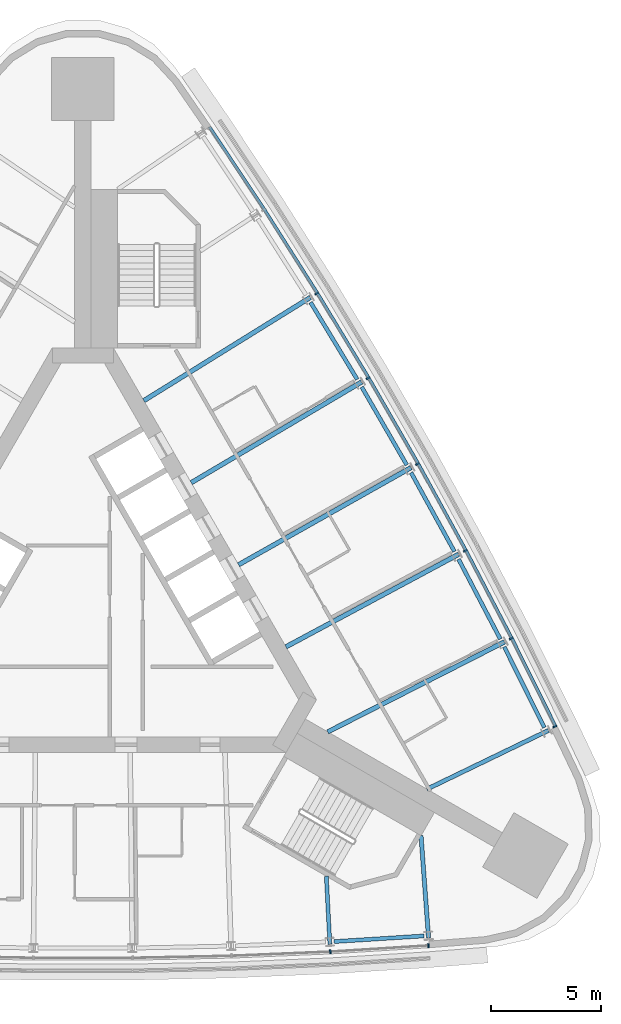
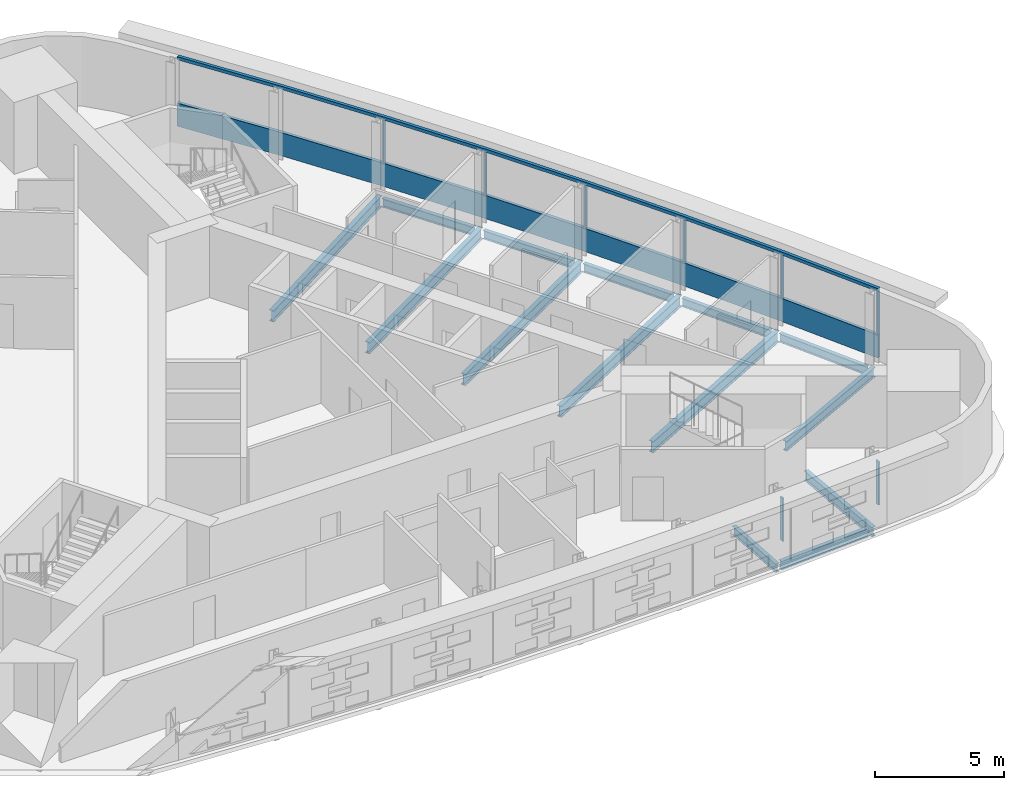
# One storey, part 5 of 12: 14 beams, 10 members, 2 elements without a shape of their own.
"""IFC4 building model written with IfcOpenShell, lengths in metres."""

from ifc_helpers import new_model, si_unit, direction, frame, origin, origin_2d, place, context, subcontext, project, spatial, polyline, rectangle, i_section, outline, extrude, material, material_profile, profile_set, type_object, element, aggregate, save


model = new_model("IFC4")

# Units and contexts
model_context = context("Model", 3, precision=1e-05, world=origin(), true_north=direction((0.0, 1.0)))
body_context = subcontext(model_context, "Body", "Model", "MODEL_VIEW")
ifc_project = project(units=[si_unit("LENGTHUNIT", "METRE"), si_unit("AREAUNIT", "SQUARE_METRE"), si_unit("VOLUMEUNIT", "CUBIC_METRE"), si_unit("PLANEANGLEUNIT", "RADIAN"), si_unit("MASSUNIT", "GRAM", prefix="KILO")], contexts=[model_context])

# Site, building, storey
site_placement = place(None, origin())
site = spatial("IfcSite", under=ifc_project, at=site_placement, CompositionType="ELEMENT")
building_placement = place(site_placement, origin())
building = spatial("IfcBuilding", under=site, at=building_placement, Name="Noor Cloister Tower", CompositionType="ELEMENT")
storey_placement = place(building_placement, frame((0.0, 0.0, 158.10009765625)))
storey = spatial("IfcBuildingStorey", under=building, at=storey_placement, Name="L40", CompositionType="ELEMENT", Elevation=158.10009765625)

# Curtain wall, member
ifc_material_1 = material(Name="Aluminium 6063-T6 anodised", Category="aluminium")
curtain_wall_type = type_object("IfcCurtainWallType", Name="Ribbon curtain wall, upper tower CW5", PredefinedType="NOTDEFINED", material=ifc_material_1)
curtain_wall_1_placement = place(storey_placement, origin())
curtain_wall_1 = element("IfcCurtainWall", 1, at=curtain_wall_1_placement, inside=storey, type_object=curtain_wall_type, Name="CW5 L40 NE run 3", PredefinedType="NOTDEFINED")
ifc_material_2 = material(Name="Aluminium 6063-T6 anodised", Category="aluminium")
member_type_1 = type_object("IfcMemberType", Name="Head transom CW5 150", PredefinedType="USERDEFINED", material=ifc_material_2)
member_1_placement = place(storey_placement, frame((0.0, 0.0, 3.14990234375)))
member_1 = element("IfcMember", 2, at=member_1_placement, type_object=member_type_1, Name="CW5 head transom", ObjectType="TRANSOM", PredefinedType="USERDEFINED", context=body_context, shape_type="SweptSolid", body=[
    extrude(outline(polyline([(21.54541015625, -5.73095703125), (19.544677734375, -1.7001953125), (17.4599609375, 2.28759765625), (15.2919921875, 6.23095703125), (13.0419921875, 10.1279296875), (10.7109375, 13.97705078125), (8.2998046875, 17.7763671875), (5.8095703125, 21.5244140625), (5.69287109375, 21.447021484375), (8.182373046875, 17.7001953125), (10.592041015625, 13.903076171875), (12.921630859375, 10.056640625), (15.170166015625, 6.162109375), (17.33642578125, 2.221435546875), (19.419921875, -1.763916015625), (21.420166015625, -5.793212890625), (21.54541015625, -5.73095703125)])), origin(), (0.0, 0.0, 1.0), 0.14990234375),
])

# Curtain wall, members
curtain_wall_2_placement = place(storey_placement, origin())
curtain_wall_2 = element("IfcCurtainWall", 3, at=curtain_wall_2_placement, inside=storey, type_object=curtain_wall_type, Name="CW5 L40 S run 2", PredefinedType="NOTDEFINED")
ifc_material_3 = material(Name="Aluminium 6063-T6 anodised", Category="aluminium")
ifc_material_profile_1 = material_profile(ifc_material_3, rectangle(XDim=0.179931640625, YDim=0.070068359375, at=origin_2d()), Name="180 x 70 mullion")
ifc_profile_set_1 = profile_set([ifc_material_profile_1], Name="Aluminium 6063-T6 anodised")
member_type_2 = type_object("IfcMemberType", Name="Mullion CW5 70 x 180", PredefinedType="MULLION", material=ifc_profile_set_1)
member_2_placement = place(storey_placement, frame((11.23974609375, -15.97607421875, 1.099853515625), z_axis=(0.0, 0.0, 1.0), x_axis=(-0.052341986805, 0.998629218688, 0.0)))
member_2 = element("IfcMember", 4, at=member_2_placement, type_object=member_type_2, Name="CW5 mullion 7", PredefinedType="MULLION", context=body_context, shape_type="SweptSolid", body=[
    extrude(rectangle(XDim=0.179931640625, YDim=0.070068359375, at=origin_2d()), origin(), (0.0, 0.0, 1.0), 2.050048828125),
])
member_3_placement = place(storey_placement, frame((15.694580078125, -15.69580078125, 1.099853515625), z_axis=(0.0, 0.0, 1.0), x_axis=(-0.062797748351, 0.998026273603, 0.0)))
member_3 = element("IfcMember", 5, at=member_3_placement, type_object=member_type_2, Name="CW5 mullion 8", PredefinedType="MULLION", context=body_context, shape_type="SweptSolid", body=[
    extrude(rectangle(XDim=0.179931640625, YDim=0.070068359375, at=origin_2d()), origin(), (0.0, 0.0, 1.0), 2.050048828125),
])
aggregate(curtain_wall_2, [member_2, member_3])

# Member
member_4_placement = place(storey_placement, frame((21.4404296875, -5.744140625, 1.099853515625), z_axis=(0.0, 0.0, 1.0), x_axis=(-0.89571498076, -0.444628691429, 0.0)))
member_4 = element("IfcMember", 6, at=member_4_placement, type_object=member_type_2, Name="CW5 mullion 1", PredefinedType="MULLION", context=body_context, shape_type="SweptSolid", body=[
    extrude(rectangle(XDim=0.179931640625, YDim=0.070068359375, at=origin_2d()), origin(), (0.0, 0.0, 1.0), 2.050048828125),
])

member_5_placement = place(storey_placement, frame((19.45556640625, -1.74560546875, 1.099853515625), z_axis=(0.0, 0.0, 1.0), x_axis=(-0.891009265748, -0.453985119086, 0.0)))
member_5 = element("IfcMember", 7, at=member_5_placement, type_object=member_type_2, Name="CW5 mullion 2", PredefinedType="MULLION", context=body_context, shape_type="SweptSolid", body=[
    extrude(rectangle(XDim=0.179931640625, YDim=0.070068359375, at=origin_2d()), origin(), (0.0, 0.0, 1.0), 2.050048828125),
])

member_6_placement = place(storey_placement, frame((17.371826171875, 2.240234375, 1.099853515625), z_axis=(0.0, 0.0, 1.0), x_axis=(-0.881305167553, -0.472547565483, 0.0)))
member_6 = element("IfcMember", 8, at=member_6_placement, type_object=member_type_2, Name="CW5 mullion 3", PredefinedType="MULLION", context=body_context, shape_type="SweptSolid", body=[
    extrude(rectangle(XDim=0.179931640625, YDim=0.070068359375, at=origin_2d()), origin(), (0.0, 0.0, 1.0), 2.050048828125),
])

member_7_placement = place(storey_placement, frame((15.204833984375, 6.181640625, 1.099853515625), z_axis=(0.0, 0.0, 1.0), x_axis=(-0.871214402304, -0.490902704432, 0.0)))
member_7 = element("IfcMember", 9, at=member_7_placement, type_object=member_type_2, Name="CW5 mullion 4", PredefinedType="MULLION", context=body_context, shape_type="SweptSolid", body=[
    extrude(rectangle(XDim=0.179931640625, YDim=0.070068359375, at=origin_2d()), origin(), (0.0, 0.0, 1.0), 2.050048828125),
])

member_8_placement = place(storey_placement, frame((12.9560546875, 10.076904296875, 1.099853515625), z_axis=(0.0, 0.0, 1.0), x_axis=(-0.860741413976, -0.509042452322, 0.0)))
member_8 = element("IfcMember", 10, at=member_8_placement, type_object=member_type_2, Name="CW5 mullion 5", PredefinedType="MULLION", context=body_context, shape_type="SweptSolid", body=[
    extrude(rectangle(XDim=0.179931640625, YDim=0.070068359375, at=origin_2d()), origin(), (0.0, 0.0, 1.0), 2.050048828125),
])

member_9_placement = place(storey_placement, frame((10.6259765625, 13.92431640625, 1.099853515625), z_axis=(0.0, 0.0, 1.0), x_axis=(-0.849890779982, -0.526958880846, 0.0)))
member_9 = element("IfcMember", 11, at=member_9_placement, type_object=member_type_2, Name="CW5 mullion 6", PredefinedType="MULLION", context=body_context, shape_type="SweptSolid", body=[
    extrude(rectangle(XDim=0.179931640625, YDim=0.070068359375, at=origin_2d()), origin(), (0.0, 0.0, 1.0), 2.050048828125),
])

# Beams
ifc_material_4 = material(Name="Steel ASTM A992 Gr 50", Category="steel")
ifc_material_profile_2 = material_profile(ifc_material_4, i_section(OverallWidth=0.177978515625, OverallDepth=0.406005859375, WebThickness=0.0078125, FlangeThickness=0.0126953125, FilletRadius=0.01025390625, at=origin_2d()), Name="W410x60")
ifc_profile_set_2 = profile_set([ifc_material_profile_2], Name="Steel ASTM A992 Gr 50")
beam_type_1 = type_object("IfcBeamType", Name="Radial beam W410x60", PredefinedType="BEAM", material=ifc_profile_set_2)
beam_1_placement = place(storey_placement, frame((11.2216796875, -15.633544921875, -0.403076171875), z_axis=(-0.052359869549, 0.998628281224, 0.0), x_axis=(-0.998628281224, -0.052359869549, 0.0)))
element("IfcBeam", 12, at=beam_1_placement, inside=storey, type_object=beam_type_1, Name="Radial beam S 07 L40", PredefinedType="BEAM", context=body_context, shape_type="SweptSolid", body=[
    extrude(i_section(OverallWidth=0.177978515625, OverallDepth=0.406005859375, WebThickness=0.0078125, FlangeThickness=0.0126953125, FilletRadius=0.01025390625, at=origin_2d()), origin(), (0.0, 0.0, 1.0), 3.09130859375),
])
ifc_material_5 = material(Name="Steel ASTM A992 Gr 50", Category="steel")
ifc_material_profile_3 = material_profile(ifc_material_5, i_section(OverallWidth=0.19091796875, OverallDepth=0.45703125, WebThickness=0.009033203125, FlangeThickness=0.014404296875, FilletRadius=0.01025390625, at=origin_2d()), Name="W460x74")
ifc_profile_set_3 = profile_set([ifc_material_profile_3], Name="Steel ASTM A992 Gr 50")
beam_type_2 = type_object("IfcBeamType", Name="Radial beam W460x74", PredefinedType="BEAM", material=ifc_profile_set_3)
beam_2_placement = place(storey_placement, frame((15.703369140625, -15.3515625, -0.4287109375), z_axis=(-0.073254033164, 0.997313314172, 0.0), x_axis=(-0.997313314172, -0.073254033164, 0.0)))
element("IfcBeam", 13, at=beam_2_placement, inside=storey, type_object=beam_type_2, Name="Radial beam S 08 L40", PredefinedType="BEAM", context=body_context, shape_type="SweptSolid", body=[
    extrude(i_section(OverallWidth=0.19091796875, OverallDepth=0.45703125, WebThickness=0.009033203125, FlangeThickness=0.014404296875, FilletRadius=0.01025390625, at=origin_2d()), origin(), (0.0, 0.0, 1.0), 4.6591796875),
])
beam_3_placement = place(storey_placement, frame((21.146728515625, -5.923828125, -0.4287109375), z_axis=(-0.900323455308, -0.435221410115, 0.0), x_axis=(0.435221410115, -0.900323455308, 0.0)))
element("IfcBeam", 14, at=beam_3_placement, inside=storey, type_object=beam_type_2, Name="Radial beam NE 01 L40", PredefinedType="BEAM", context=body_context, shape_type="SweptSolid", body=[
    extrude(i_section(OverallWidth=0.19091796875, OverallDepth=0.45703125, WebThickness=0.009033203125, FlangeThickness=0.014404296875, FilletRadius=0.01025390625, at=origin_2d()), origin(), (0.0, 0.0, 1.0), 6.1279296875),
])
ifc_material_6 = material(Name="Steel ASTM A992 Gr 50", Category="steel")
ifc_material_profile_4 = material_profile(ifc_material_6, i_section(OverallWidth=0.208984375, OverallDepth=0.532958984375, WebThickness=0.01025390625, FlangeThickness=0.015625, FilletRadius=0.0126953125, at=origin_2d()), Name="W530x92")
ifc_profile_set_4 = profile_set([ifc_material_profile_4], Name="Steel ASTM A992 Gr 50")
beam_type_3 = type_object("IfcBeamType", Name="Radial beam W530x92", PredefinedType="BEAM", material=ifc_profile_set_4)
beam_4_placement = place(storey_placement, frame((19.14990234375, -1.9013671875, -0.466552734375), z_axis=(-0.891002050303, -0.453999280127, 0.0), x_axis=(0.453999280127, -0.891002050303, 0.0)))
element("IfcBeam", 15, at=beam_4_placement, inside=storey, type_object=beam_type_3, Name="Radial beam NE 02 L40", PredefinedType="BEAM", context=body_context, shape_type="SweptSolid", body=[
    extrude(i_section(OverallWidth=0.208984375, OverallDepth=0.532958984375, WebThickness=0.01025390625, FlangeThickness=0.015625, FilletRadius=0.0126953125, at=origin_2d()), origin(), (0.0, 0.0, 1.0), 9.00634765625),
])
beam_5_placement = place(storey_placement, frame((17.069580078125, 2.078125, -0.466552734375), z_axis=(-0.881310226852, -0.472538129727, 0.0), x_axis=(0.472538129727, -0.881310226852, 0.0)))
element("IfcBeam", 16, at=beam_5_placement, inside=storey, type_object=beam_type_3, Name="Radial beam NE 03 L40", PredefinedType="BEAM", context=body_context, shape_type="SweptSolid", body=[
    extrude(i_section(OverallWidth=0.208984375, OverallDepth=0.532958984375, WebThickness=0.01025390625, FlangeThickness=0.015625, FilletRadius=0.0126953125, at=origin_2d()), origin(), (0.0, 0.0, 1.0), 8.89794921875),
])
for number, where, z_axis, x_axis, name in (
    (17, (14.906005859375, 6.013427734375, -0.466552734375), (-0.871204595241, -0.490920108808, 0.0), (0.490920108808, -0.871204595241, 0.0), "Radial beam NE 04 L40"),
    (18, (12.660888671875, 9.90234375, -0.466552734375), (-0.860751813994, -0.509024866491, 0.0), (0.509024866491, -0.860751813994, 0.0), "Radial beam NE 05 L40"),
):
    element("IfcBeam", number, at=place(storey_placement, frame(where, z_axis=z_axis, x_axis=x_axis)), inside=storey, type_object=beam_type_3, Name=name, PredefinedType="BEAM", context=body_context, shape_type="SweptSolid", body=[
        extrude(i_section(OverallWidth=0.208984375, OverallDepth=0.532958984375, WebThickness=0.01025390625, FlangeThickness=0.015625, FilletRadius=0.0126953125, at=origin_2d()), origin(), (0.0, 0.0, 1.0), 8.988037109375),
    ])
beam_6_placement = place(storey_placement, frame((10.33447265625, 13.743408203125, -0.466552734375), z_axis=(-0.849896547603, -0.526949578586, 0.0), x_axis=(0.526949578586, -0.849896547603, 0.0)))
element("IfcBeam", 19, at=beam_6_placement, inside=storey, type_object=beam_type_3, Name="Radial beam NE 06 L40", PredefinedType="BEAM", context=body_context, shape_type="SweptSolid", body=[
    extrude(i_section(OverallWidth=0.208984375, OverallDepth=0.532958984375, WebThickness=0.01025390625, FlangeThickness=0.015625, FilletRadius=0.0126953125, at=origin_2d()), origin(), (0.0, 0.0, 1.0), 8.89794921875),
])

# Member
ifc_material_7 = material(Name="Aluminium 6063-T6 anodised", Category="aluminium")
member_type_3 = type_object("IfcMemberType", Name="Sill transom CW5 1100", PredefinedType="USERDEFINED", material=ifc_material_7)
member_10_placement = place(storey_placement, origin())
member_10 = element("IfcMember", 20, at=member_10_placement, type_object=member_type_3, Name="CW5 sill transom", ObjectType="TRANSOM", PredefinedType="USERDEFINED", context=body_context, shape_type="SweptSolid", body=[
    extrude(outline(polyline([(21.54541015625, -5.73095703125), (19.544677734375, -1.7001953125), (17.4599609375, 2.28759765625), (15.2919921875, 6.23095703125), (13.0419921875, 10.1279296875), (10.7109375, 13.97705078125), (8.2998046875, 17.7763671875), (5.8095703125, 21.5244140625), (5.69287109375, 21.447021484375), (8.182373046875, 17.7001953125), (10.592041015625, 13.903076171875), (12.921630859375, 10.056640625), (15.170166015625, 6.162109375), (17.33642578125, 2.221435546875), (19.419921875, -1.763916015625), (21.420166015625, -5.793212890625), (21.54541015625, -5.73095703125)])), origin(), (0.0, 0.0, 1.0), 1.099853515625),
])

aggregate(curtain_wall_1, [member_4, member_5, member_6, member_7, member_8, member_9, member_10, member_1])

# Beams
ifc_material_8 = material(Name="Steel ASTM A992 Gr 50", Category="steel")
ifc_material_profile_5 = material_profile(ifc_material_8, i_section(OverallWidth=0.177978515625, OverallDepth=0.406005859375, WebThickness=0.0078125, FlangeThickness=0.0126953125, FilletRadius=0.01025390625, at=origin_2d()), Name="W410x60")
ifc_profile_set_5 = profile_set([ifc_material_profile_5], Name="Steel ASTM A992 Gr 50")
beam_type_4 = type_object("IfcBeamType", Name="Spandrel beam W410x60", PredefinedType="SPANDREL", material=ifc_profile_set_5)
beam_7_placement = place(storey_placement, frame((11.415283203125, -15.51416015625, -0.403076171875), z_axis=(0.998029512808, 0.06274624741, 0.0), x_axis=(-0.06274624741, 0.998029512808, 0.0)))
element("IfcBeam", 21, at=beam_7_placement, inside=storey, type_object=beam_type_4, Name="Spandrel beam S 07 L40", PredefinedType="SPANDREL", context=body_context, shape_type="SweptSolid", body=[
    extrude(i_section(OverallWidth=0.177978515625, OverallDepth=0.406005859375, WebThickness=0.0078125, FlangeThickness=0.0126953125, FilletRadius=0.01025390625, at=origin_2d()), origin(), (0.0, 0.0, 1.0), 4.08935546875),
])
beam_8_placement = place(storey_placement, frame((20.961669921875, -5.791748046875, -0.403076171875), z_axis=(-0.444632770879, 0.895712955729, 0.0), x_axis=(-0.895712955729, -0.444632770879, 0.0)))
element("IfcBeam", 22, at=beam_8_placement, inside=storey, type_object=beam_type_4, Name="Spandrel beam NE 01 L40", PredefinedType="SPANDREL", context=body_context, shape_type="SweptSolid", body=[
    extrude(i_section(OverallWidth=0.177978515625, OverallDepth=0.406005859375, WebThickness=0.0078125, FlangeThickness=0.0126953125, FilletRadius=0.01025390625, at=origin_2d()), origin(), (0.0, 0.0, 1.0), 4.089599609375),
])
beam_9_placement = place(storey_placement, frame((18.962158203125, -1.773193359375, -0.403076171875), z_axis=(-0.463284047748, 0.886209845975, 0.0), x_axis=(-0.886209845975, -0.463284047748, 0.0)))
element("IfcBeam", 23, at=beam_9_placement, inside=storey, type_object=beam_type_4, Name="Spandrel beam NE 02 L40", PredefinedType="SPANDREL", context=body_context, shape_type="SweptSolid", body=[
    extrude(i_section(OverallWidth=0.177978515625, OverallDepth=0.406005859375, WebThickness=0.0078125, FlangeThickness=0.0126953125, FilletRadius=0.01025390625, at=origin_2d()), origin(), (0.0, 0.0, 1.0), 4.08935546875),
])
beam_10_placement = place(storey_placement, frame((16.879150390625, 2.202392578125, -0.403076171875), z_axis=(-0.48176061744, 0.876302862875, 0.0), x_axis=(-0.876302862875, -0.48176061744, 0.0)))
element("IfcBeam", 24, at=beam_10_placement, inside=storey, type_object=beam_type_4, Name="Spandrel beam NE 03 L40", PredefinedType="SPANDREL", context=body_context, shape_type="SweptSolid", body=[
    extrude(i_section(OverallWidth=0.177978515625, OverallDepth=0.406005859375, WebThickness=0.0078125, FlangeThickness=0.0126953125, FilletRadius=0.01025390625, at=origin_2d()), origin(), (0.0, 0.0, 1.0), 4.089599609375),
])
beam_11_placement = place(storey_placement, frame((14.713134765625, 6.133544921875, -0.403076171875), z_axis=(-0.499998074415, 0.866026515518, 0.0), x_axis=(-0.866026515518, -0.499998074415, 0.0)))
element("IfcBeam", 25, at=beam_11_placement, inside=storey, type_object=beam_type_4, Name="Spandrel beam NE 04 L40", PredefinedType="SPANDREL", context=body_context, shape_type="SweptSolid", body=[
    extrude(i_section(OverallWidth=0.177978515625, OverallDepth=0.406005859375, WebThickness=0.0078125, FlangeThickness=0.0126953125, FilletRadius=0.01025390625, at=origin_2d()), origin(), (0.0, 0.0, 1.0), 4.08935546875),
])
beam_12_placement = place(storey_placement, frame((12.46533203125, 10.0185546875, -0.403076171875), z_axis=(-0.518011929621, 0.855373392602, 0.0), x_axis=(-0.855373392602, -0.518011929621, 0.0)))
element("IfcBeam", 26, at=beam_12_placement, inside=storey, type_object=beam_type_4, Name="Spandrel beam NE 05 L40", PredefinedType="SPANDREL", context=body_context, shape_type="SweptSolid", body=[
    extrude(i_section(OverallWidth=0.177978515625, OverallDepth=0.406005859375, WebThickness=0.0078125, FlangeThickness=0.0126953125, FilletRadius=0.01025390625, at=origin_2d()), origin(), (0.0, 0.0, 1.0), 4.089599609375),
])

save(model, "model.ifc")
